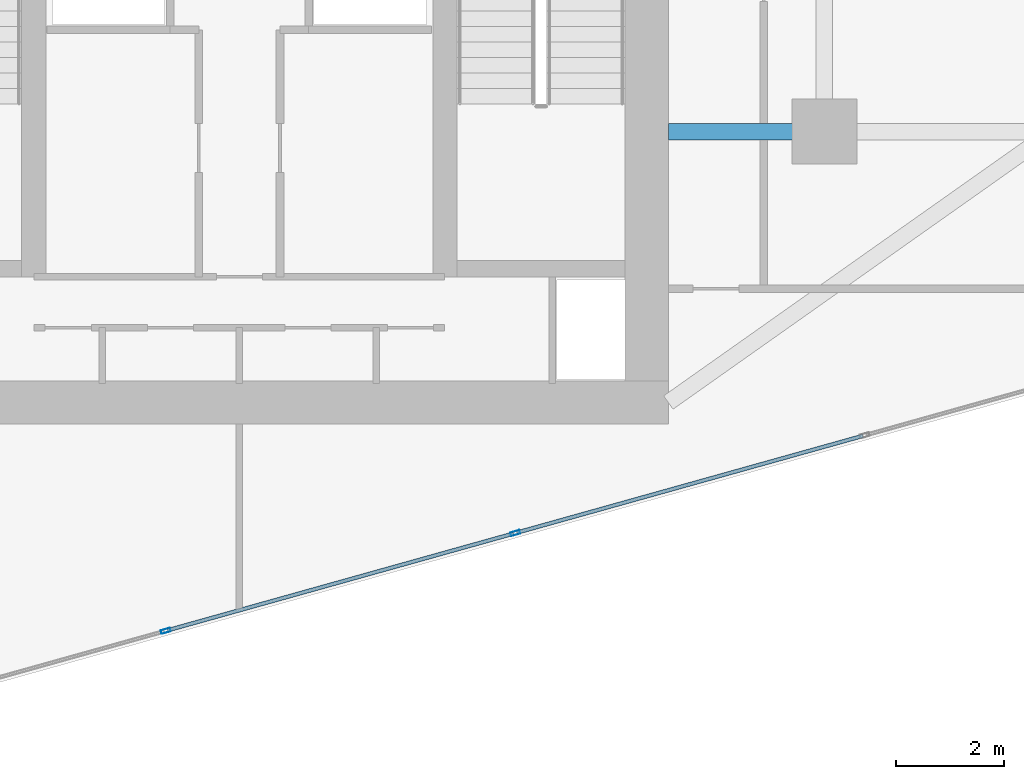
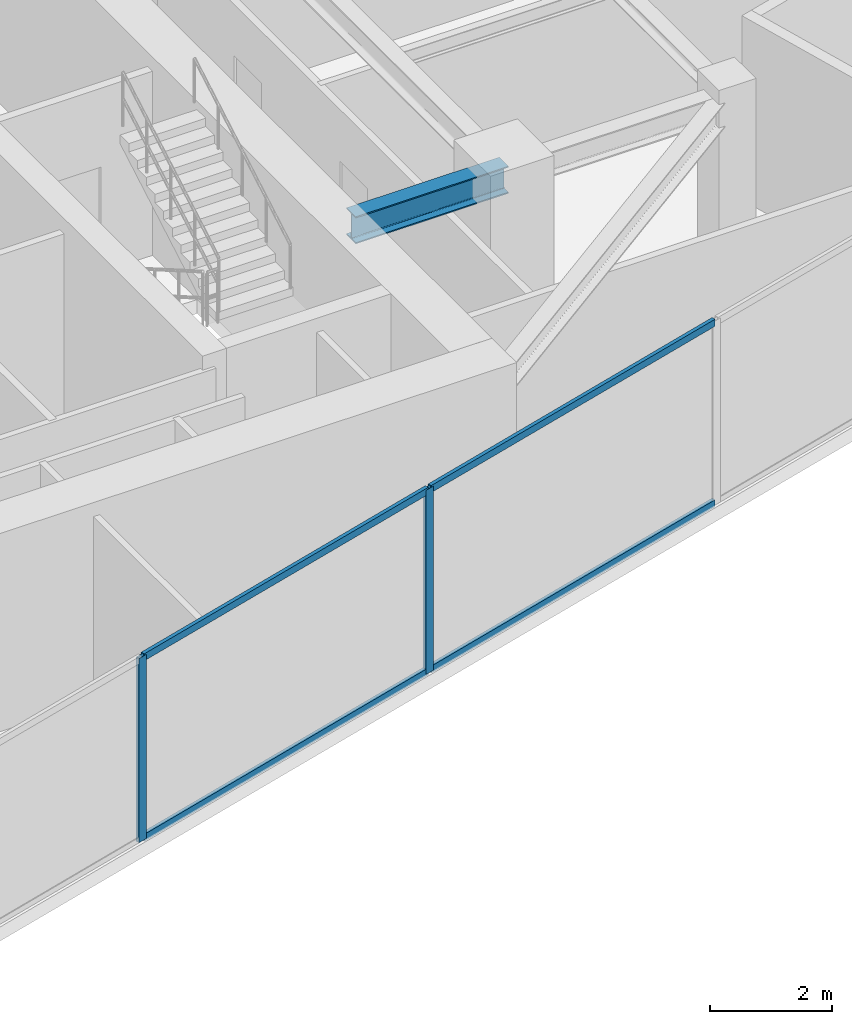
# One storey, part 4 of 20: 6 members, 1 beam, 1 element without a shape of its own.
"""IFC4 building model written with IfcOpenShell, lengths in metres."""

from ifc_helpers import new_model, si_unit, direction, frame, origin, origin_2d, place, context, subcontext, project, spatial, hollow_rectangle, i_section, extrude, source, transform, mapped, material, material_profile, profile_set, type_object, type_shapes, element, aggregate, save


model = new_model("IFC4")

# Units and contexts
model_context = context("Model", 3, precision=1e-05, world=origin(), true_north=direction((0.0, 1.0)))
body_context = subcontext(model_context, "Body", "Model", "MODEL_VIEW")
ifc_project = project(units=[si_unit("LENGTHUNIT", "METRE"), si_unit("AREAUNIT", "SQUARE_METRE"), si_unit("VOLUMEUNIT", "CUBIC_METRE"), si_unit("PLANEANGLEUNIT", "RADIAN"), si_unit("MASSUNIT", "GRAM", prefix="KILO")], contexts=[model_context])

# Site, building, storey
site_placement = place(None, origin())
site = spatial("IfcSite", under=ifc_project, at=site_placement, CompositionType="ELEMENT")
building_placement = place(site_placement, origin())
building = spatial("IfcBuilding", under=site, at=building_placement, Name="Krantzveldt Concourse Tower", CompositionType="ELEMENT")
storey_placement = place(building_placement, frame((0.0, 0.0, 351.39990234375)))
storey = spatial("IfcBuildingStorey", under=building, at=storey_placement, Name="L86", CompositionType="ELEMENT", Elevation=351.39990234375)

# Beam
ifc_material_1 = material(Name="Steel S355JR", Category="steel")
ifc_material_profile_1 = material_profile(ifc_material_1, i_section(OverallWidth=0.300048828125, OverallDepth=0.5400390625, WebThickness=0.012451171875, FlangeThickness=0.02392578125, FilletRadius=0.027099609375, at=origin_2d()), Name="Steel S355JR", Category="steel")
ifc_profile_set_1 = profile_set([ifc_material_profile_1], Name="Steel S355JR - HEA 550")
beam_type = type_object("IfcBeamType", Name="BM-B-HEA550", PredefinedType="BEAM", material=ifc_profile_set_1)
shared_shape_1 = source(origin(), body_context, "Body", "SweptSolid", [
    extrude(i_section(OverallWidth=0.300048828125, OverallDepth=0.5400390625, WebThickness=0.012451171875, FlangeThickness=0.02392578125, FilletRadius=0.027099609375, at=origin_2d()), origin(), (0.0, 0.0, 1.0), 2.880126953125),
])
type_shapes(beam_type, [shared_shape_1])
beam_placement = place(storey_placement, frame((43.919921875, 15.89990234375, 3.400146484375), z_axis=(1.0, 0.0, 0.0), x_axis=(0.0, 1.0, 0.0)))
element("IfcBeam", 1, at=beam_placement, inside=storey, type_object=beam_type, Name="L86 Tower Girder BG-CE1", PredefinedType="BEAM", context=body_context, shape_type="MappedRepresentation", body=[
    mapped(shared_shape_1, transform((0.0, 0.0, 0.0), x_axis=(1.0, 0.0, 0.0), y_axis=(0.0, 1.0, 0.0), z_axis=(0.0, 0.0, 1.0), scale=1.0)),
])

# Curtain wall, members
ifc_material_2 = material(Name="Anodised aluminium 6063-T6", Category="aluminium")
curtain_wall_type = type_object("IfcCurtainWallType", Name="CW4", PredefinedType="USERDEFINED", material=ifc_material_2)
curtain_wall_placement = place(storey_placement, origin())
curtain_wall = element("IfcCurtainWall", 2, at=curtain_wall_placement, inside=storey, type_object=curtain_wall_type, Name="CW-L86-F07", ObjectType="UNITISED CURTAIN WALL", PredefinedType="USERDEFINED")
ifc_material_profile_2 = material_profile(ifc_material_2, hollow_rectangle(XDim=0.070068359375, YDim=0.179931640625, WallThickness=0.0048828125, at=origin_2d()), Name="Anodised aluminium 6063-T6", Category="aluminium")
ifc_profile_set_2 = profile_set([ifc_material_profile_2], Name="Anodised aluminium 6063-T6 - ALU-MULL 180x70x5")
member_type_1 = type_object("IfcMemberType", Name="CW-MUL-180", PredefinedType="MULLION", material=ifc_profile_set_2)
shared_shape_2 = source(origin(), body_context, "Body", "SweptSolid", [
    extrude(hollow_rectangle(XDim=0.070068359375, YDim=0.179931640625, WallThickness=0.0048828125, at=origin_2d()), origin(), (0.0, 0.0, 1.0), 3.670166015625),
])
type_shapes(member_type_1, [shared_shape_2])
member_1_placement = place(storey_placement, frame((34.640869140625, 6.684326171875, 0.0), z_axis=(0.0, 0.0, 1.0), x_axis=(-0.269339931454, 0.963045170968, 0.0)))
member_1 = element("IfcMember", 3, at=member_1_placement, type_object=member_type_1, Name="CW-Z56 mullion 2", PredefinedType="MULLION", context=body_context, shape_type="MappedRepresentation", body=[
    mapped(shared_shape_2, transform((0.0, 0.0, 0.0), x_axis=(1.0, 0.0, 0.0), y_axis=(0.0, 1.0, 0.0), z_axis=(0.0, 0.0, 1.0), scale=1.0)),
])
member_2_placement = place(storey_placement, frame((41.09326171875, 8.48876953125, 0.0), z_axis=(0.0, 0.0, 1.0), x_axis=(-0.269339931454, 0.963045170968, 0.0)))
member_2 = element("IfcMember", 4, at=member_2_placement, type_object=member_type_1, Name="CW-Z56 mullion 3", PredefinedType="MULLION", context=body_context, shape_type="MappedRepresentation", body=[
    mapped(shared_shape_2, transform((0.0, 0.0, 0.0), x_axis=(1.0, 0.0, 0.0), y_axis=(0.0, 1.0, 0.0), z_axis=(0.0, 0.0, 1.0), scale=1.0)),
])
ifc_material_profile_3 = material_profile(ifc_material_2, hollow_rectangle(XDim=0.070068359375, YDim=0.139892578125, WallThickness=0.0048828125, at=origin_2d()), Name="Anodised aluminium 6063-T6", Category="aluminium")
ifc_profile_set_3 = profile_set([ifc_material_profile_3], Name="Anodised aluminium 6063-T6 - ALU-TRAN 140x70x5")
member_type_2 = type_object("IfcMemberType", Name="CW-TRN-150", PredefinedType="USERDEFINED", material=ifc_profile_set_3)
shared_shape_3 = source(origin(), body_context, "Body", "SweptSolid", [
    extrude(hollow_rectangle(XDim=0.070068359375, YDim=0.139892578125, WallThickness=0.0048828125, at=origin_2d()), origin(), (0.0, 0.0, 1.0), 6.6298828125),
])
member_3_placement = place(storey_placement, frame((41.126953125, 8.498291015625, 0.03515625), z_axis=(0.963048491931, 0.269328056819, 0.0), x_axis=(-0.269328056819, 0.963048491931, 0.0)))
member_3 = element("IfcMember", 5, at=member_3_placement, type_object=member_type_2, Name="CW-Z56 transom 3.1", ObjectType="TRANSOM", PredefinedType="USERDEFINED", context=body_context, shape_type="MappedRepresentation", body=[
    mapped(shared_shape_3, transform((0.0, 0.0, 0.0), x_axis=(1.0, 0.0, 0.0), y_axis=(0.0, 1.0, 0.0), z_axis=(0.0, 0.0, 1.0), scale=1.0)),
])
member_4_placement = place(storey_placement, frame((41.126953125, 8.498291015625, 3.635009765625), z_axis=(0.963048491931, 0.269328056819, 0.0), x_axis=(-0.269328056819, 0.963048491931, 0.0)))
member_4 = element("IfcMember", 6, at=member_4_placement, type_object=member_type_2, Name="CW-Z56 transom 3.2", ObjectType="TRANSOM", PredefinedType="USERDEFINED", context=body_context, shape_type="MappedRepresentation", body=[
    mapped(shared_shape_3, transform((0.0, 0.0, 0.0), x_axis=(1.0, 0.0, 0.0), y_axis=(0.0, 1.0, 0.0), z_axis=(0.0, 0.0, 1.0), scale=1.0)),
])
shared_shape_4 = source(origin(), body_context, "Body", "SweptSolid", [
    extrude(hollow_rectangle(XDim=0.070068359375, YDim=0.139892578125, WallThickness=0.0048828125, at=origin_2d()), origin(), (0.0, 0.0, 1.0), 6.630126953125),
])
type_shapes(member_type_2, [shared_shape_3, shared_shape_4])
member_5_placement = place(storey_placement, frame((34.674560546875, 6.693603515625, 0.03515625), z_axis=(0.963038940254, 0.269362208846, 0.0), x_axis=(-0.269362208846, 0.963038940254, 0.0)))
member_5 = element("IfcMember", 7, at=member_5_placement, type_object=member_type_2, Name="CW-Z56 transom 2.1", ObjectType="TRANSOM", PredefinedType="USERDEFINED", context=body_context, shape_type="MappedRepresentation", body=[
    mapped(shared_shape_4, transform((0.0, 0.0, 0.0), x_axis=(1.0, 0.0, 0.0), y_axis=(0.0, 1.0, 0.0), z_axis=(0.0, 0.0, 1.0), scale=1.0)),
])
member_6_placement = place(storey_placement, frame((34.674560546875, 6.693603515625, 3.635009765625), z_axis=(0.963038940254, 0.269362208846, 0.0), x_axis=(-0.269362208846, 0.963038940254, 0.0)))
member_6 = element("IfcMember", 8, at=member_6_placement, type_object=member_type_2, Name="CW-Z56 transom 2.2", ObjectType="TRANSOM", PredefinedType="USERDEFINED", context=body_context, shape_type="MappedRepresentation", body=[
    mapped(shared_shape_4, transform((0.0, 0.0, 0.0), x_axis=(1.0, 0.0, 0.0), y_axis=(0.0, 1.0, 0.0), z_axis=(0.0, 0.0, 1.0), scale=1.0)),
])
aggregate(curtain_wall, [member_1, member_2, member_5, member_6, member_3, member_4])

save(model, "model.ifc")
